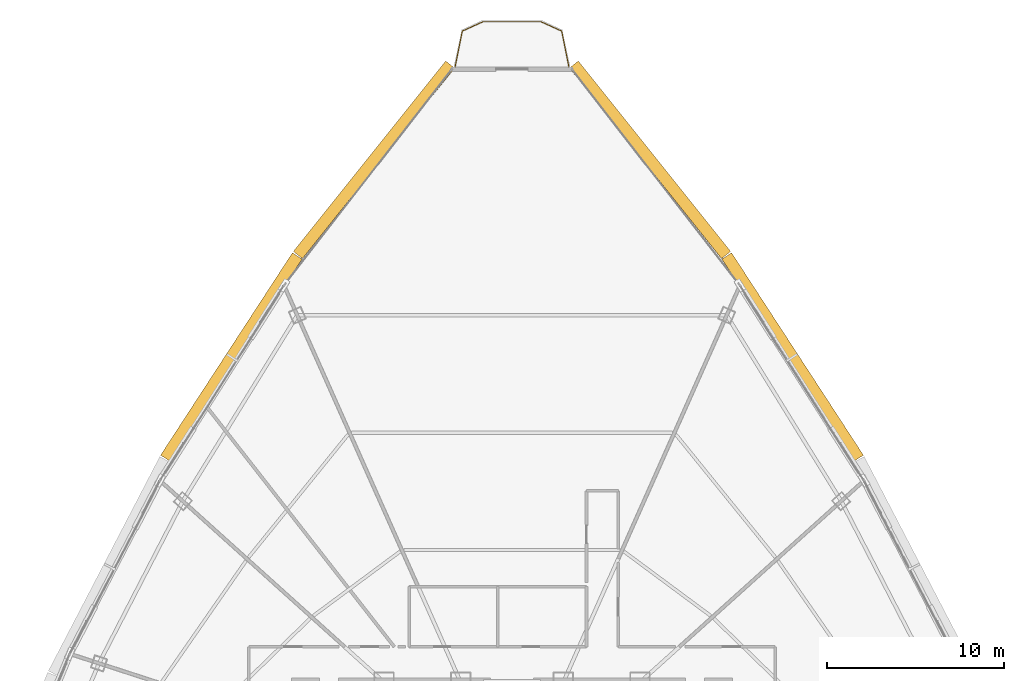
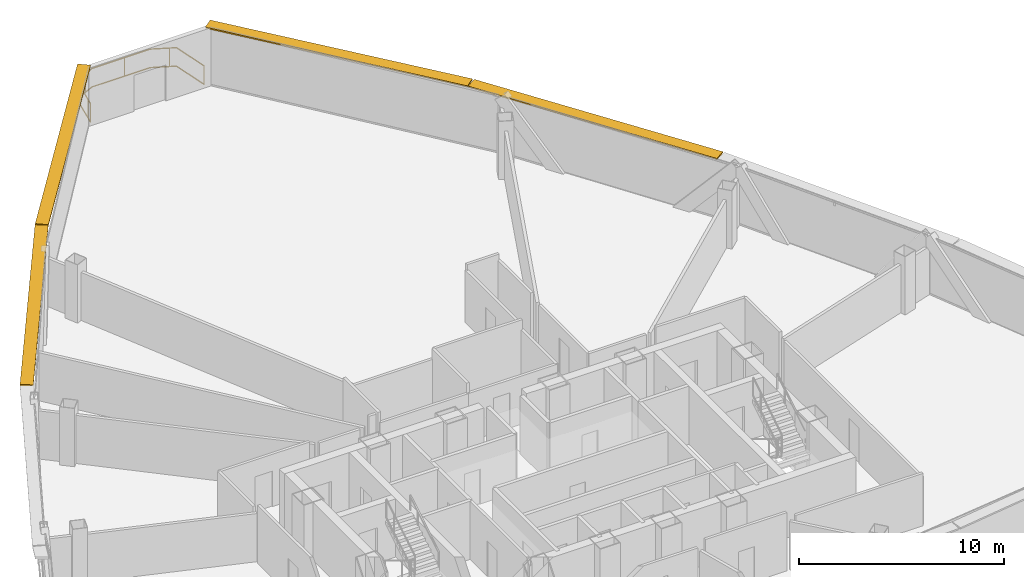
# One storey, part 35 of 35: 4 shading devices, 1 railing.
"""IFC4 building model written with IfcOpenShell, lengths in metres."""

from ifc_helpers import new_model, si_unit, direction, frame, origin, origin_2d, place, context, subcontext, project, spatial, rectangle, extrude, source, transform, mapped, material, layer, layer_set, type_object, element, save


model = new_model("IFC4")

# Units and contexts
model_context = context("Model", 3, precision=1e-05, world=origin(), true_north=direction((0.0, 1.0)))
body_context = subcontext(model_context, "Body", "Model", "MODEL_VIEW")
ifc_project = project(units=[si_unit("LENGTHUNIT", "METRE"), si_unit("AREAUNIT", "SQUARE_METRE"), si_unit("VOLUMEUNIT", "CUBIC_METRE"), si_unit("PLANEANGLEUNIT", "RADIAN"), si_unit("MASSUNIT", "GRAM", prefix="KILO"), si_unit("THERMODYNAMICTEMPERATUREUNIT", "KELVIN"), si_unit("POWERUNIT", "WATT")], contexts=[model_context])

# Site, building, storey
site_placement = place(None, origin())
site = spatial("IfcSite", under=ifc_project, at=site_placement, CompositionType="ELEMENT")
building_placement = place(site_placement, origin())
building = spatial("IfcBuilding", under=site, at=building_placement, Name="Yunzhuo Pagoda Commons", CompositionType="ELEMENT")
storey_placement = place(building_placement, frame((0.0, 0.0, 299.93994140625)))
storey = spatial("IfcBuildingStorey", under=building, at=storey_placement, Name="L75", CompositionType="ELEMENT", Elevation=299.93994140625)

# Railing
ifc_material = material(Name="Anodized aluminium 6063-T6", Category="aluminium")
railing_type = type_object("IfcRailingType", Name="RL-BAL1 Exterior Terrace & Balcony Balustrade 1150", PredefinedType="BALUSTRADE", material=ifc_material)
railing_placement = place(storey_placement, frame((51.207763671875, 74.918212890625, 0.0)))
element("IfcRailing", 1, at=railing_placement, inside=storey, type_object=railing_type, Name="L75 corner balcony balustrade V3", PredefinedType="BALUSTRADE", context=body_context, shape_type="SweptSolid", body=[
    extrude(rectangle(XDim=0.048095703125, YDim=0.048095703125, at=origin_2d()), frame((0.0, 0.0, 1.1259765625), z_axis=(-0.194223156668, 0.980957371864, 0.0), x_axis=(-0.980957371864, -0.194223156668, 0.0)), (0.0, 0.0, 1.0), 2.05908203125),
    extrude(rectangle(XDim=0.048095703125, YDim=0.048095703125, at=origin_2d()), frame((0.0, 0.0, 0.02392578125), z_axis=(-0.194223156668, 0.980957371864, 0.0), x_axis=(-0.980957371864, -0.194223156668, 0.0)), (0.0, 0.0, 1.0), 2.05908203125),
    extrude(rectangle(XDim=0.048095703125, YDim=0.048095703125, at=origin_2d()), frame((-0.39990234375, 2.019775390625, 1.1259765625), z_axis=(-0.910098275253, 0.414392482293, 0.0), x_axis=(-0.414392482293, -0.910098275253, 0.0)), (0.0, 0.0, 1.0), 1.279052734375),
    extrude(rectangle(XDim=0.048095703125, YDim=0.048095703125, at=origin_2d()), frame((-0.39990234375, 2.019775390625, 0.02392578125), z_axis=(-0.910098275253, 0.414392482293, 0.0), x_axis=(-0.414392482293, -0.910098275253, 0.0)), (0.0, 0.0, 1.0), 1.279052734375),
    extrude(rectangle(XDim=0.048095703125, YDim=0.048095703125, at=origin_2d()), frame((-1.56396484375, 2.5498046875, 1.1259765625), z_axis=(-1.0, 0.0, 0.0), x_axis=(0.0, -1.0, 0.0)), (0.0, 0.0, 1.0), 3.28759765625),
    extrude(rectangle(XDim=0.048095703125, YDim=0.048095703125, at=origin_2d()), frame((-1.56396484375, 2.5498046875, 0.02392578125), z_axis=(-1.0, 0.0, 0.0), x_axis=(0.0, -1.0, 0.0)), (0.0, 0.0, 1.0), 3.28759765625),
    extrude(rectangle(XDim=0.048095703125, YDim=0.048095703125, at=origin_2d()), frame((-4.8515625, 2.5498046875, 1.1259765625), z_axis=(-0.910098275253, -0.414392482293, 0.0), x_axis=(0.414392482293, -0.910098275253, 0.0)), (0.0, 0.0, 1.0), 1.279052734375),
    extrude(rectangle(XDim=0.048095703125, YDim=0.048095703125, at=origin_2d()), frame((-4.8515625, 2.5498046875, 0.02392578125), z_axis=(-0.910098275253, -0.414392482293, 0.0), x_axis=(0.414392482293, -0.910098275253, 0.0)), (0.0, 0.0, 1.0), 1.279052734375),
    extrude(rectangle(XDim=0.048095703125, YDim=0.048095703125, at=origin_2d()), frame((-6.015625, 2.019775390625, 1.1259765625), z_axis=(-0.194223156668, -0.980957371864, 0.0), x_axis=(0.980957371864, -0.194223156668, 0.0)), (0.0, 0.0, 1.0), 2.05908203125),
    extrude(rectangle(XDim=0.048095703125, YDim=0.048095703125, at=origin_2d()), frame((-6.015625, 2.019775390625, 0.02392578125), z_axis=(-0.194223156668, -0.980957371864, 0.0), x_axis=(0.980957371864, -0.194223156668, 0.0)), (0.0, 0.0, 1.0), 2.05908203125),
    extrude(rectangle(XDim=0.0419921875, YDim=0.0419921875, at=origin_2d()), origin(), (0.0, 0.0, 1.0), 1.101806640625),
    extrude(rectangle(XDim=0.0419921875, YDim=0.0419921875, at=origin_2d()), frame((-0.710205078125, 2.1611328125, 0.0)), (0.0, 0.0, 1.0), 1.101806640625),
    extrude(rectangle(XDim=0.0419921875, YDim=0.0419921875, at=origin_2d()), frame((-3.02587890625, 2.5498046875, 0.0)), (0.0, 0.0, 1.0), 1.101806640625),
    extrude(rectangle(XDim=0.0419921875, YDim=0.0419921875, at=origin_2d()), frame((-5.374267578125, 2.311767578125, 0.0)), (0.0, 0.0, 1.0), 1.101806640625),
    extrude(rectangle(XDim=0.0419921875, YDim=0.0419921875, at=origin_2d()), frame((-6.344970703125, 0.356689453125, 0.0)), (0.0, 0.0, 1.0), 1.101806640625),
    extrude(rectangle(XDim=0.0419921875, YDim=0.0419921875, at=origin_2d()), frame((-6.41552734375, 0.0, 0.0)), (0.0, 0.0, 1.0), 1.101806640625),
])

# Shading devices
ifc_layer = layer(ifc_material, 0.080078125)
ifc_layer_set = layer_set([ifc_layer], Name="Anodized aluminium 6063-T6")
shading_device_type = type_object("IfcShadingDeviceType", Name="SH-SUN1 Pagoda Horizontal Sunshade Eave 650", PredefinedType="USERDEFINED", material=ifc_layer_set)
shared_shape_1 = source(origin(), body_context, "Body", "SweptSolid", [
    extrude(rectangle(XDim=13.7578125, YDim=0.64990234375, at=origin_2d()), origin(), (0.0, 0.0, 1.0), 0.080078125),
])
for number, where, z_axis, x_axis, name in (
    (2, (55.78369140625, 69.679931640625, 3.39013671875), (0.0, 0.0, 1.0), (-0.624520471688, 0.781008438138, 0.0), "L75 horizontal pagoda sunshade eave F2.4"),
    (3, (40.21630859375, 69.679931640625, 3.39013671875), (0.0, 0.0, 1.0), (-0.624520471688, -0.781008438138, 0.0), "L75 horizontal pagoda sunshade eave F3.1"),
):
    element("IfcShadingDevice", number, at=place(storey_placement, frame(where, z_axis=z_axis, x_axis=x_axis)), inside=storey, type_object=shading_device_type, Name=name, ObjectType="SUNSHADE", PredefinedType="USERDEFINED", context=body_context, shape_type="MappedRepresentation", body=[
        mapped(shared_shape_1, transform((0.0, 0.0, 0.0), scale=1.0)),
    ])
shared_shape_2 = source(origin(), body_context, "Body", "SweptSolid", [
    extrude(rectangle(XDim=13.626953125, YDim=0.64990234375, at=origin_2d()), origin(), (0.0, 0.0, 1.0), 0.080078125),
])
for number, where, z_axis, x_axis, name in (
    (4, (63.8359375, 58.547119140625, 3.39013671875), (0.0, 0.0, 1.0), (-0.545853380833, 0.837880711458, 0.0), "L75 horizontal pagoda sunshade eave F2.3"),
    (5, (32.1640625, 58.547119140625, 3.39013671875), (0.0, 0.0, 1.0), (-0.545853380833, -0.837880711458, 0.0), "L75 horizontal pagoda sunshade eave F3.2"),
):
    element("IfcShadingDevice", number, at=place(storey_placement, frame(where, z_axis=z_axis, x_axis=x_axis)), inside=storey, type_object=shading_device_type, Name=name, ObjectType="SUNSHADE", PredefinedType="USERDEFINED", context=body_context, shape_type="MappedRepresentation", body=[
        mapped(shared_shape_2, transform((0.0, 0.0, 0.0), scale=1.0)),
    ])

save(model, "model.ifc")
